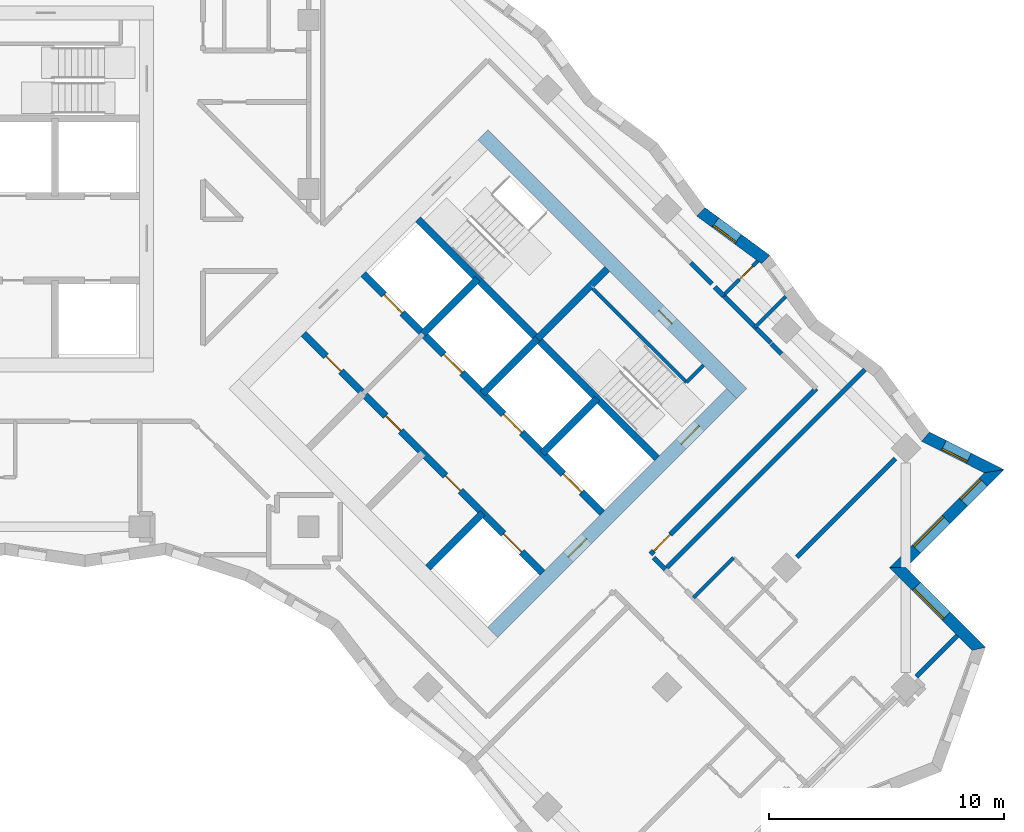
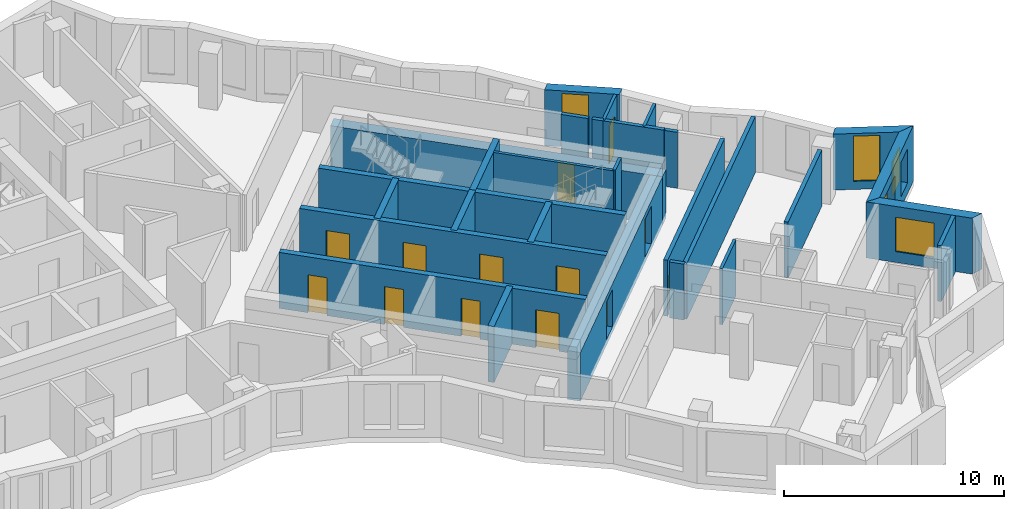
# One storey, part 9 of 12: 29 walls, 13 doors, 5 windows, 18 openings.
"""IFC4 building model written with IfcOpenShell, lengths in metres."""

from ifc_helpers import new_model, si_unit, direction, frame, frame_2d, origin, place, context, subcontext, project, spatial, polyline, rectangle, outline, extrude, material, layer, layer_set, type_object, element, fill, save


model = new_model("IFC4")

# Units and contexts
model_context = context("Model", 3, precision=1e-05, world=origin(), true_north=direction((0.0, 1.0)))
body_context = subcontext(model_context, "Body", "Model", "MODEL_VIEW")
ifc_project = project(units=[si_unit("LENGTHUNIT", "METRE"), si_unit("AREAUNIT", "SQUARE_METRE"), si_unit("VOLUMEUNIT", "CUBIC_METRE"), si_unit("PLANEANGLEUNIT", "RADIAN"), si_unit("MASSUNIT", "GRAM", prefix="KILO")], contexts=[model_context])

# Site, building, storey
site_placement = place(None, origin())
site = spatial("IfcSite", under=ifc_project, at=site_placement, CompositionType="ELEMENT")
building_placement = place(site_placement, origin())
building = spatial("IfcBuilding", under=site, at=building_placement, Name="Windrow Commons", CompositionType="ELEMENT")
storey_placement = place(building_placement, frame((0.0, 0.0, 159.2)))
storey = spatial("IfcBuildingStorey", under=building, at=storey_placement, Name="L43", CompositionType="ELEMENT", Elevation=159.2)

# Wall, opening, window
ifc_material_1 = material(Name="Brick masonry, red clay brick", Category="masonry")
ifc_layer_1 = layer(ifc_material_1, 0.5)
ifc_layer_set_1 = layer_set([ifc_layer_1], Name="Brick facade wall 500")
wall_type_1 = type_object("IfcWallType", Name="Brick facade wall 500", PredefinedType="SOLIDWALL", material=ifc_layer_set_1)
wall_1_placement = place(storey_placement, frame((107.7612, 37.9941, 0.0), z_axis=(0.0, 0.0, 1.0), x_axis=(-0.7071170025, 0.7070965597, 0.0)))
wall_1 = element("IfcWall", 1, at=wall_1_placement, inside=storey, type_object=wall_type_1, Name="Brick facade wall L43 5", PredefinedType="SOLIDWALL", context=body_context, shape_type="SweptSolid", body=[
    extrude(outline(polyline([(-0.1584, -0.25), (4.6417, -0.25), (5.1417, 0.25), (0.1584, 0.25), (-0.1584, -0.25)])), origin(), (0.0, 0.0, 1.0), 3.1),
])
opening_1_placement = place(wall_1_placement, frame((1.9667, 0.0, 0.6)))
opening_1 = element("IfcOpeningElement", 2, at=opening_1_placement, cuts=wall_1, Name="Opening W1L", PredefinedType="OPENING", context=body_context, shape_type="SweptSolid", body=[
    extrude(rectangle(XDim=1.8, YDim=1.9, at=frame_2d((0.9, 0.95))), frame((0.0, 0.26, 0.0), z_axis=(0.0, -1.0, 0.0), x_axis=(1.0, 0.0, 0.0)), (0.0, 0.0, 1.0), 0.52),
])
ifc_material_2 = material(Name="Clear float glass in anodised aluminium frame", Category="aluminium")
window_type_1 = type_object("IfcWindowType", Name="Window W1L bedroom 1800x1900", PartitioningType="SINGLE_PANEL", PredefinedType="WINDOW", material=ifc_material_2)
window_1_placement = place(opening_1_placement, origin())
window_1 = element("IfcWindow", 3, at=window_1_placement, inside=storey, type_object=window_type_1, Name="Window L43 5.1", OverallHeight=1.9, OverallWidth=1.8, PartitioningType="SINGLE_PANEL", PredefinedType="WINDOW", context=body_context, shape_type="SweptSolid", body=[
    extrude(rectangle(XDim=1.8, YDim=1.9, at=frame_2d((0.9, 0.95))), frame((0.0, 0.18, 0.0), z_axis=(0.0, -1.0, 0.0), x_axis=(1.0, 0.0, 0.0)), (0.0, 0.0, 1.0), 0.06),
])
fill(opening_1, window_1)

# Wall, openings, windows
wall_2_placement = place(storey_placement, frame((104.3022, 41.453, 0.0), z_axis=(0.0, 0.0, 1.0), x_axis=(0.707123973, 0.707089589, 0.0)))
wall_2 = element("IfcWall", 4, at=wall_2_placement, inside=storey, type_object=wall_type_1, Name="Brick facade wall L43 6", PredefinedType="SOLIDWALL", context=body_context, shape_type="SweptSolid", body=[
    extrude(outline(polyline([(0.25, -0.25), (6.1621, -0.25), (5.4712, 0.25), (-0.25, 0.25), (0.25, -0.25)])), origin(), (0.0, 0.0, 1.0), 3.1),
])
opening_2_placement = place(wall_2_placement, frame((1.125, 0.0, 0.6)))
opening_2 = element("IfcOpeningElement", 5, at=opening_2_placement, cuts=wall_2, Name="Opening W1L", PredefinedType="OPENING", context=body_context, shape_type="SweptSolid", body=[
    extrude(rectangle(XDim=1.8, YDim=1.9, at=frame_2d((0.9, 0.95))), frame((0.0, 0.26, 0.0), z_axis=(0.0, -1.0, 0.0), x_axis=(1.0, 0.0, 0.0)), (0.0, 0.0, 1.0), 0.52),
])
opening_3_placement = place(wall_2_placement, frame((3.9606, 0.0, 0.6)))
opening_3 = element("IfcOpeningElement", 6, at=opening_3_placement, cuts=wall_2, Name="Opening W7G", PredefinedType="OPENING", context=body_context, shape_type="SweptSolid", body=[
    extrude(rectangle(XDim=1.2, YDim=1.9, at=frame_2d((0.6, 0.95))), frame((0.0, 0.26, 0.0), z_axis=(0.0, -1.0, 0.0), x_axis=(1.0, 0.0, 0.0)), (0.0, 0.0, 1.0), 0.52),
])
window_2_placement = place(opening_2_placement, origin())
window_2 = element("IfcWindow", 7, at=window_2_placement, inside=storey, type_object=window_type_1, Name="Window L43 6.1", OverallHeight=1.9, OverallWidth=1.8, PartitioningType="SINGLE_PANEL", PredefinedType="WINDOW", context=body_context, shape_type="SweptSolid", body=[
    extrude(rectangle(XDim=1.8, YDim=1.9, at=frame_2d((0.9, 0.95))), frame((0.0, 0.18, 0.0), z_axis=(0.0, -1.0, 0.0), x_axis=(1.0, 0.0, 0.0)), (0.0, 0.0, 1.0), 0.06),
])
fill(opening_2, window_2)
ifc_material_3 = material(Name="Clear float glass in anodised aluminium frame", Category="aluminium")
window_type_2 = type_object("IfcWindowType", Name="Window W7 notch 1200x1900", PartitioningType="SINGLE_PANEL", PredefinedType="WINDOW", material=ifc_material_3)
window_3_placement = place(opening_3_placement, origin())
window_3 = element("IfcWindow", 8, at=window_3_placement, inside=storey, type_object=window_type_2, Name="Window L43 6.2", OverallHeight=1.9, OverallWidth=1.2, PartitioningType="SINGLE_PANEL", PredefinedType="WINDOW", context=body_context, shape_type="SweptSolid", body=[
    extrude(rectangle(XDim=1.2, YDim=1.9, at=frame_2d((0.6, 0.95))), frame((0.0, 0.18, 0.0), z_axis=(0.0, -1.0, 0.0), x_axis=(1.0, 0.0, 0.0)), (0.0, 0.0, 1.0), 0.06),
])
fill(opening_3, window_3)

# Wall, opening, window
wall_3_placement = place(storey_placement, frame((108.4153, 45.5659, 0.0), z_axis=(0.0, 0.0, 1.0), x_axis=(-0.8926785051, 0.4506940054, 0.0)))
wall_3 = element("IfcWall", 9, at=wall_3_placement, inside=storey, type_object=wall_type_1, Name="Brick facade wall L43 7", PredefinedType="SOLIDWALL", context=body_context, shape_type="SweptSolid", body=[
    extrude(outline(polyline([(-0.3454, -0.25), (3.2126, -0.25), (3.3318, 0.25), (0.3454, 0.25), (-0.3454, -0.25)])), origin(), (0.0, 0.0, 1.0), 3.1),
])
opening_4_placement = place(wall_3_placement, frame((1.2088, 0.0, 0.45)))
opening_4 = element("IfcOpeningElement", 10, at=opening_4_placement, cuts=wall_3, Name="Opening W7E", PredefinedType="OPENING", context=body_context, shape_type="SweptSolid", body=[
    extrude(rectangle(XDim=1.2, YDim=2.5, at=frame_2d((0.6, 1.25))), frame((0.0, 0.26, 0.0), z_axis=(0.0, -1.0, 0.0), x_axis=(1.0, 0.0, 0.0)), (0.0, 0.0, 1.0), 0.52),
])
ifc_material_4 = material(Name="Clear float glass in anodised aluminium frame", Category="aluminium")
window_type_3 = type_object("IfcWindowType", Name="Window W7 notch 1200x2500", PartitioningType="SINGLE_PANEL", PredefinedType="WINDOW", material=ifc_material_4)
window_4_placement = place(opening_4_placement, origin())
window_4 = element("IfcWindow", 11, at=window_4_placement, inside=storey, type_object=window_type_3, Name="Window L43 7.1", OverallHeight=2.5, OverallWidth=1.2, PartitioningType="SINGLE_PANEL", PredefinedType="WINDOW", context=body_context, shape_type="SweptSolid", body=[
    extrude(rectangle(XDim=1.2, YDim=2.5, at=frame_2d((0.6, 1.25))), frame((0.0, 0.18, 0.0), z_axis=(0.0, -1.0, 0.0), x_axis=(1.0, 0.0, 0.0)), (0.0, 0.0, 1.0), 0.06),
])
fill(opening_4, window_4)

wall_4_placement = place(storey_placement, frame((98.6737, 54.5899, 0.0), z_axis=(0.0, 0.0, 1.0), x_axis=(-0.8050440725, 0.5932150043, 0.0)))
wall_4 = element("IfcWall", 12, at=wall_4_placement, inside=storey, type_object=wall_type_1, Name="Brick facade wall L43 11", PredefinedType="SOLIDWALL", context=body_context, shape_type="SweptSolid", body=[
    extrude(outline(polyline([(-0.0379, -0.25), (3.3805, -0.25), (3.4562, 0.25), (0.0379, 0.25), (-0.0379, -0.25)])), origin(), (0.0, 0.0, 1.0), 3.1),
])
opening_5_placement = place(wall_4_placement, frame((1.4546, 0.0, 0.45)))
opening_5 = element("IfcOpeningElement", 13, at=opening_5_placement, cuts=wall_4, Name="Opening W7E", PredefinedType="OPENING", context=body_context, shape_type="SweptSolid", body=[
    extrude(rectangle(XDim=1.2, YDim=2.5, at=frame_2d((0.6, 1.25))), frame((0.0, 0.26, 0.0), z_axis=(0.0, -1.0, 0.0), x_axis=(1.0, 0.0, 0.0)), (0.0, 0.0, 1.0), 0.52),
])
window_5_placement = place(opening_5_placement, origin())
window_5 = element("IfcWindow", 14, at=window_5_placement, inside=storey, type_object=window_type_3, Name="Window L43 11.1", OverallHeight=2.5, OverallWidth=1.2, PartitioningType="SINGLE_PANEL", PredefinedType="WINDOW", context=body_context, shape_type="SweptSolid", body=[
    extrude(rectangle(XDim=1.2, YDim=2.5, at=frame_2d((0.6, 1.25))), frame((0.0, 0.18, 0.0), z_axis=(0.0, -1.0, 0.0), x_axis=(1.0, 0.0, 0.0)), (0.0, 0.0, 1.0), 0.06),
])
fill(opening_5, window_5)

# Wall, opening, door
ifc_material_5 = material(Name="Blockwork partition", Category="masonry")
ifc_layer_2 = layer(ifc_material_5, 0.2)
ifc_layer_set_2 = layer_set([ifc_layer_2], Name="IW-CORRIDOR-200")
wall_type_2 = type_object("IfcWallType", Name="IW-CORRIDOR-200", PredefinedType="PARTITIONING", material=ifc_layer_set_2)
wall_5_placement = place(storey_placement, frame((93.767, 42.021, 0.0), z_axis=(0.0, 0.0, 1.0), x_axis=(0.7071067812, 0.7071067812, 0.0)))
wall_5 = element("IfcWall", 15, at=wall_5_placement, inside=storey, type_object=wall_type_2, Name="W-L43-W012", PredefinedType="PARTITIONING", context=body_context, shape_type="SweptSolid", body=[
    extrude(rectangle(XDim=9.9985, YDim=0.2, at=frame_2d((4.9992, 0.0))), origin(), (0.0, 0.0, 1.0), 3.1),
])
opening_6_placement = place(wall_5_placement, frame((0.1964, 0.0, 0.0)))
opening_6 = element("IfcOpeningElement", 16, at=opening_6_placement, cuts=wall_5, Name="Opening D310F", PredefinedType="OPENING", context=body_context, shape_type="SweptSolid", body=[
    extrude(rectangle(XDim=1.0, YDim=2.1, at=frame_2d((0.5, 1.05))), frame((0.0, 0.11, 0.0), z_axis=(0.0, -1.0, 0.0), x_axis=(1.0, 0.0, 0.0)), (0.0, 0.0, 1.0), 0.22),
])
ifc_material_6 = material(Name="Timber door leaf", Category="wood")
door_type_1 = type_object("IfcDoorType", Name="DT-AMENITY-1000", OperationType="SINGLE_SWING_LEFT", PredefinedType="DOOR", material=ifc_material_6)
door_1_placement = place(opening_6_placement, origin())
door_1 = element("IfcDoor", 17, at=door_1_placement, inside=storey, type_object=door_type_1, Name="D-L43-D041", OperationType="SINGLE_SWING_LEFT", OverallHeight=2.1, OverallWidth=1.0, PredefinedType="DOOR", context=body_context, shape_type="SweptSolid", body=[
    extrude(rectangle(XDim=1.0, YDim=2.1, at=frame_2d((0.5, 1.05))), frame((0.0, 0.025, 0.0), z_axis=(0.0, -1.0, 0.0), x_axis=(1.0, 0.0, 0.0)), (0.0, 0.0, 1.0), 0.05),
])
fill(opening_6, door_1)

# Walls
wall_6_placement = place(storey_placement, frame((96.8815, 53.0535, 0.0), z_axis=(0.0, 0.0, 1.0), x_axis=(0.7071067812, -0.7071067812, 0.0)))
element("IfcWall", 18, at=wall_6_placement, inside=storey, type_object=wall_type_2, Name="W-L43-W062", PredefinedType="PARTITIONING", context=body_context, shape_type="SweptSolid", body=[
    extrude(rectangle(XDim=2.8595, YDim=0.2, at=frame_2d((1.4298, 0.0))), origin(), (0.0, 0.0, 1.0), 3.1),
])
wall_7_placement = place(storey_placement, frame((95.4937, 54.4377, 0.0), z_axis=(0.0, 0.0, 1.0), x_axis=(0.706312726, -0.7078999456, 0.0)))
element("IfcWall", 19, at=wall_7_placement, inside=storey, type_object=wall_type_2, Name="W-L43-W139", PredefinedType="PARTITIONING", context=body_context, shape_type="SweptSolid", body=[
    extrude(rectangle(XDim=1.2601, YDim=0.2, at=frame_2d((0.63, 0.0))), origin(), (0.0, 0.0, 1.0), 3.1),
])
wall_8_placement = place(storey_placement, frame((93.9085, 41.8785, 0.0), z_axis=(0.0, 0.0, 1.0), x_axis=(0.7056768426, -0.7085338339, 0.0)))
element("IfcWall", 20, at=wall_8_placement, inside=storey, type_object=wall_type_2, Name="W-L43-W158", PredefinedType="PARTITIONING", context=body_context, shape_type="SweptSolid", body=[
    extrude(rectangle(XDim=0.7, YDim=0.2, at=frame_2d((0.35, 0.0))), origin(), (0.0, 0.0, 1.0), 3.1),
])
wall_9_placement = place(storey_placement, frame((98.9254, 50.9954, 0.0), z_axis=(0.0, 0.0, 1.0), x_axis=(0.7071067812, -0.7071067812, 0.0)))
element("IfcWall", 21, at=wall_9_placement, inside=storey, type_object=wall_type_2, Name="W-L43-W166", PredefinedType="PARTITIONING", context=body_context, shape_type="SweptSolid", body=[
    extrude(rectangle(XDim=0.5996, YDim=0.2, at=frame_2d((0.2998, 0.0))), origin(), (0.0, 0.0, 1.0), 3.1),
])
wall_10_placement = place(storey_placement, frame((96.5098, 53.4158, 0.0), z_axis=(0.0, 0.0, 1.0), x_axis=(0.7090308706, -0.7051774419, 0.0)))
element("IfcWall", 22, at=wall_10_placement, inside=storey, type_object=wall_type_2, Name="W-L43-W175", PredefinedType="PARTITIONING", context=body_context, shape_type="SweptSolid", body=[
    extrude(rectangle(XDim=0.519, YDim=0.2, at=frame_2d((0.2595, 0.0))), origin(), (0.0, 0.0, 1.0), 3.1),
])
ifc_material_7 = material(Name="Blockwork partition", Category="masonry")
ifc_layer_3 = layer(ifc_material_7, 0.15)
ifc_layer_set_3 = layer_set([ifc_layer_3], Name="IW-ENSUITE-150")
wall_type_3 = type_object("IfcWallType", Name="IW-ENSUITE-150", PredefinedType="PARTITIONING", material=ifc_layer_set_3)
wall_11_placement = place(storey_placement, frame((95.6035, 40.1805, 0.0), z_axis=(0.0, 0.0, 1.0), x_axis=(0.7071067812, 0.7071067812, 0.0)))
element("IfcWall", 23, at=wall_11_placement, inside=storey, type_object=wall_type_3, Name="W-L43-W070", PredefinedType="PARTITIONING", context=body_context, shape_type="SweptSolid", body=[
    extrude(rectangle(XDim=2.4013, YDim=0.15, at=frame_2d((1.2006, 0.0))), origin(), (0.0, 0.0, 1.0), 3.1),
])

# Wall, opening, door
wall_12_placement = place(storey_placement, frame((96.8772, 53.0508, 0.0), z_axis=(0.0, 0.0, 1.0), x_axis=(0.7071067812, 0.7071067812, 0.0)))
wall_12 = element("IfcWall", 24, at=wall_12_placement, inside=storey, type_object=wall_type_3, Name="W-L43-W113", PredefinedType="PARTITIONING", context=body_context, shape_type="SweptSolid", body=[
    extrude(rectangle(XDim=2.0782, YDim=0.15, at=frame_2d((1.0391, 0.0))), origin(), (0.0, 0.0, 1.0), 3.1),
])
opening_7_placement = place(wall_12_placement, frame((0.9694, 0.0, 0.0)))
opening_7 = element("IfcOpeningElement", 25, at=opening_7_placement, cuts=wall_12, Name="Opening D208N", PredefinedType="OPENING", context=body_context, shape_type="SweptSolid", body=[
    extrude(rectangle(XDim=0.8, YDim=2.1, at=frame_2d((0.4, 1.05))), frame((0.0, 0.085, 0.0), z_axis=(0.0, -1.0, 0.0), x_axis=(1.0, 0.0, 0.0)), (0.0, 0.0, 1.0), 0.17),
])
ifc_material_8 = material(Name="Timber door leaf", Category="wood")
door_type_2 = type_object("IfcDoorType", Name="DT-ENSUITE-800", OperationType="SINGLE_SWING_LEFT", PredefinedType="DOOR", material=ifc_material_8)
door_2_placement = place(opening_7_placement, origin())
door_2 = element("IfcDoor", 26, at=door_2_placement, inside=storey, type_object=door_type_2, Name="D-L43-D045", OperationType="SINGLE_SWING_RIGHT", OverallHeight=2.1, OverallWidth=0.8, PredefinedType="DOOR", context=body_context, shape_type="SweptSolid", body=[
    extrude(rectangle(XDim=0.8, YDim=2.1, at=frame_2d((0.4, 1.05))), frame((0.0, 0.025, 0.0), z_axis=(0.0, -1.0, 0.0), x_axis=(1.0, 0.0, 0.0)), (0.0, 0.0, 1.0), 0.05),
])
fill(opening_7, door_2)

# Walls
wall_13_placement = place(storey_placement, frame((98.2243, 51.7037, 0.0), z_axis=(0.0, 0.0, 1.0), x_axis=(0.7065103186, 0.7077027411, 0.0)))
element("IfcWall", 27, at=wall_13_placement, inside=storey, type_object=wall_type_3, Name="W-L43-W129", PredefinedType="PARTITIONING", context=body_context, shape_type="SweptSolid", body=[
    extrude(rectangle(XDim=1.845, YDim=0.15, at=frame_2d((0.9225, 0.0))), origin(), (0.0, 0.0, 1.0), 3.1),
])
ifc_material_9 = material(Name="Blockwork partition", Category="masonry")
ifc_layer_4 = layer(ifc_material_9, 0.2)
ifc_layer_set_4 = layer_set([ifc_layer_4], Name="IW-PARTY-200")
wall_type_4 = type_object("IfcWallType", Name="IW-PARTY-200", PredefinedType="PARTITIONING", material=ifc_layer_set_4)
wall_14_placement = place(storey_placement, frame((94.4014, 41.3826, 0.0), z_axis=(0.0, 0.0, 1.0), x_axis=(0.7071067812, 0.7071067812, 0.0)))
element("IfcWall", 28, at=wall_14_placement, inside=storey, type_object=wall_type_4, Name="W-L43-W007", PredefinedType="PARTITIONING", context=body_context, shape_type="SweptSolid", body=[
    extrude(rectangle(XDim=12.0402, YDim=0.2, at=frame_2d((6.0201, 0.0))), origin(), (0.0, 0.0, 1.0), 3.1),
])
wall_15_placement = place(storey_placement, frame((100.013, 41.903, 0.0), z_axis=(0.0, 0.0, 1.0), x_axis=(0.7071067812, 0.7071067812, 0.0)))
element("IfcWall", 29, at=wall_15_placement, inside=storey, type_object=wall_type_4, Name="W-L43-W027", PredefinedType="PARTITIONING", context=body_context, shape_type="SweptSolid", body=[
    extrude(rectangle(XDim=5.9284, YDim=0.2, at=frame_2d((2.9642, 0.0))), origin(), (0.0, 0.0, 1.0), 3.1),
])
wall_16_placement = place(storey_placement, frame((105.1052, 36.8128, 0.0), z_axis=(0.0, 0.0, 1.0), x_axis=(0.7071067812, 0.7071067812, 0.0)))
element("IfcWall", 30, at=wall_16_placement, inside=storey, type_object=wall_type_4, Name="W-L43-W069", PredefinedType="PARTITIONING", context=body_context, shape_type="SweptSolid", body=[
    extrude(rectangle(XDim=2.4634, YDim=0.2, at=frame_2d((1.2317, 0.0))), origin(), (0.0, 0.0, 1.0), 3.1),
])

# Wall, opening, door
ifc_material_10 = material(Name="Concrete C50/60", Category="concrete")
ifc_layer_5 = layer(ifc_material_10, 0.6)
ifc_layer_set_5 = layer_set([ifc_layer_5], Name="RC CORE WALL 600 C50/60")
wall_type_5 = type_object("IfcWallType", Name="RC CORE WALL 600 C50/60", PredefinedType="SHEAR", material=ifc_layer_set_5)
wall_17_placement = place(storey_placement, frame((86.6246, 59.9085, -0.3), z_axis=(0.0, 0.0, 1.0), x_axis=(0.7071067812, -0.7071067812, 0.0)))
wall_17 = element("IfcWall", 31, at=wall_17_placement, inside=storey, type_object=wall_type_5, Name="Core B wall outer-N", PredefinedType="SHEAR", context=body_context, shape_type="SweptSolid", body=[
    extrude(rectangle(XDim=15.6, YDim=0.6, at=frame_2d((7.8, 0.0))), origin(), (0.0, 0.0, 1.0), 2.7),
])
opening_8_placement = place(wall_17_placement, frame((10.6, 0.0, 0.3)))
opening_8 = element("IfcOpeningElement", 32, at=opening_8_placement, cuts=wall_17, Name="Opening D9", PredefinedType="OPENING", context=body_context, shape_type="SweptSolid", body=[
    extrude(rectangle(XDim=0.8, YDim=2.1, at=frame_2d((0.4, 1.05))), frame((0.0, 0.31, 0.0), z_axis=(0.0, -1.0, 0.0), x_axis=(1.0, 0.0, 0.0)), (0.0, 0.0, 1.0), 0.62),
])
ifc_material_11 = material(Name="Steel fire door leaf", Category="steel")
door_type_3 = type_object("IfcDoorType", Name="Riser access door 800", OperationType="SINGLE_SWING_LEFT", PredefinedType="DOOR", material=ifc_material_11)
door_3_placement = place(opening_8_placement, origin())
door_3 = element("IfcDoor", 33, at=door_3_placement, inside=storey, type_object=door_type_3, Name="Riser access door", OperationType="SINGLE_SWING_RIGHT", OverallHeight=2.1, OverallWidth=0.8, PredefinedType="DOOR", context=body_context, shape_type="SweptSolid", body=[
    extrude(rectangle(XDim=0.8, YDim=2.1, at=frame_2d((0.4, 1.05))), frame((0.0, 0.025, 0.0), z_axis=(0.0, -1.0, 0.0), x_axis=(1.0, 0.0, 0.0)), (0.0, 0.0, 1.0), 0.05),
])
fill(opening_8, door_3)

# Wall, openings, doors
wall_18_placement = place(storey_placement, frame((87.0489, 38.6953, -0.3), z_axis=(0.0, 0.0, 1.0), x_axis=(0.7071067812, 0.7071067812, 0.0)))
wall_18 = element("IfcWall", 34, at=wall_18_placement, inside=storey, type_object=wall_type_5, Name="Core B wall outer-E", PredefinedType="SHEAR", context=body_context, shape_type="SweptSolid", body=[
    extrude(rectangle(XDim=14.3999, YDim=0.6, at=frame_2d((7.2, 0.0))), origin(), (0.0, 0.0, 1.0), 2.7),
])
opening_9_placement = place(wall_18_placement, frame((4.55, 0.0, 0.3)))
opening_9 = element("IfcOpeningElement", 35, at=opening_9_placement, cuts=wall_18, Name="Opening D6", PredefinedType="OPENING", context=body_context, shape_type="SweptSolid", body=[
    extrude(rectangle(XDim=1.1, YDim=2.1, at=frame_2d((0.55, 1.05))), frame((0.0, 0.31, 0.0), z_axis=(0.0, -1.0, 0.0), x_axis=(1.0, 0.0, 0.0)), (0.0, 0.0, 1.0), 0.62),
])
opening_10_placement = place(wall_18_placement, frame((11.35, 0.0, 0.3)))
opening_10 = element("IfcOpeningElement", 36, at=opening_10_placement, cuts=wall_18, Name="Opening D7", PredefinedType="OPENING", context=body_context, shape_type="SweptSolid", body=[
    extrude(rectangle(XDim=1.1, YDim=2.1, at=frame_2d((0.55, 1.05))), frame((0.0, 0.31, 0.0), z_axis=(0.0, -1.0, 0.0), x_axis=(1.0, 0.0, 0.0)), (0.0, 0.0, 1.0), 0.62),
])
ifc_material_12 = material(Name="Steel fire door leaf", Category="steel")
door_type_4 = type_object("IfcDoorType", Name="Core lobby door 1100", OperationType="SINGLE_SWING_LEFT", PredefinedType="DOOR", material=ifc_material_12)
door_4_placement = place(opening_9_placement, origin())
door_4 = element("IfcDoor", 37, at=door_4_placement, inside=storey, type_object=door_type_4, Name="Lift lobby door", OperationType="DOUBLE_DOOR_SINGLE_SWING", OverallHeight=2.1, OverallWidth=1.1, PredefinedType="DOOR", context=body_context, shape_type="SweptSolid", body=[
    extrude(rectangle(XDim=1.1, YDim=2.1, at=frame_2d((0.55, 1.05))), frame((0.0, 0.025, 0.0), z_axis=(0.0, -1.0, 0.0), x_axis=(1.0, 0.0, 0.0)), (0.0, 0.0, 1.0), 0.05),
])
fill(opening_9, door_4)
ifc_material_13 = material(Name="Steel fire door leaf", Category="steel")
door_type_5 = type_object("IfcDoorType", Name="Stair door 1100", OperationType="SINGLE_SWING_LEFT", PredefinedType="DOOR", material=ifc_material_13)
door_5_placement = place(opening_10_placement, origin())
door_5 = element("IfcDoor", 38, at=door_5_placement, inside=storey, type_object=door_type_5, Name="Stair door", OperationType="SINGLE_SWING_RIGHT", OverallHeight=2.1, OverallWidth=1.1, PredefinedType="DOOR", context=body_context, shape_type="SweptSolid", body=[
    extrude(rectangle(XDim=1.1, YDim=2.1, at=frame_2d((0.55, 1.05))), frame((0.0, 0.025, 0.0), z_axis=(0.0, -1.0, 0.0), x_axis=(1.0, 0.0, 0.0)), (0.0, 0.0, 1.0), 0.05),
])
fill(opening_10, door_5)

# Walls
ifc_material_14 = material(Name="Concrete C50/60", Category="concrete")
ifc_layer_6 = layer(ifc_material_14, 0.3)
ifc_layer_set_6 = layer_set([ifc_layer_6], Name="RC SHAFT WALL 300 C50/60")
wall_type_6 = type_object("IfcWallType", Name="RC SHAFT WALL 300 C50/60", PredefinedType="SOLIDWALL", material=ifc_layer_set_6)
wall_19_placement = place(storey_placement, frame((84.079, 51.4232, 0.0), z_axis=(0.0, 0.0, 1.0), x_axis=(0.7071219326, 0.7070916295, 0.0)))
element("IfcWall", 39, at=wall_19_placement, inside=storey, type_object=wall_type_6, Name="Core B wall shaft-N1", PredefinedType="SOLIDWALL", context=body_context, shape_type="SweptSolid", body=[
    extrude(rectangle(XDim=3.3, YDim=0.3, at=frame_2d((1.65, 0.0))), origin(), (0.0, 0.0, 1.0), 3.1),
])
wall_20_placement = place(storey_placement, frame((86.6246, 48.8776, 0.0), z_axis=(0.0, 0.0, 1.0), x_axis=(0.7071067812, 0.7071067812, 0.0)))
element("IfcWall", 40, at=wall_20_placement, inside=storey, type_object=wall_type_6, Name="Core B wall shaft-N2", PredefinedType="SOLIDWALL", context=body_context, shape_type="SweptSolid", body=[
    extrude(rectangle(XDim=3.3001, YDim=0.3, at=frame_2d((1.6501, 0.0))), origin(), (0.0, 0.0, 1.0), 3.1),
])
wall_21_placement = place(storey_placement, frame((84.2912, 41.453, 0.0), z_axis=(0.0, 0.0, 1.0), x_axis=(0.7071067812, 0.7071067812, 0.0)))
element("IfcWall", 41, at=wall_21_placement, inside=storey, type_object=wall_type_6, Name="Core B wall shaft-S3", PredefinedType="SOLIDWALL", context=body_context, shape_type="SweptSolid", body=[
    extrude(rectangle(XDim=3.2999, YDim=0.3, at=frame_2d((1.65, 0.0))), origin(), (0.0, 0.0, 1.0), 3.1),
])
wall_22_placement = place(storey_placement, frame((89.1702, 46.332, 0.0), z_axis=(0.0, 0.0, 1.0), x_axis=(0.7071067812, 0.7071067812, 0.0)))
element("IfcWall", 42, at=wall_22_placement, inside=storey, type_object=wall_type_6, Name="Core B wall shaft-N3", PredefinedType="SOLIDWALL", context=body_context, shape_type="SweptSolid", body=[
    extrude(rectangle(XDim=3.3001, YDim=0.3, at=frame_2d((1.6501, 0.0))), origin(), (0.0, 0.0, 1.0), 3.1),
])

# Wall, openings, doors
wall_23_placement = place(storey_placement, frame((78.9879, 51.4232, 0.0), z_axis=(0.0, 0.0, 1.0), x_axis=(0.7071067812, -0.7071067812, 0.0)))
wall_23 = element("IfcWall", 43, at=wall_23_placement, inside=storey, type_object=wall_type_6, Name="Core B wall lobby-S", PredefinedType="SOLIDWALL", context=body_context, shape_type="SweptSolid", body=[
    extrude(rectangle(XDim=14.3999, YDim=0.3, at=frame_2d((7.2, 0.0))), origin(), (0.0, 0.0, 1.0), 3.1),
])
opening_11_placement = place(wall_23_placement, frame((1.35, 0.0, 0.0)))
opening_11 = element("IfcOpeningElement", 44, at=opening_11_placement, cuts=wall_23, Name="Opening D8", PredefinedType="OPENING", context=body_context, shape_type="SweptSolid", body=[
    extrude(rectangle(XDim=0.9, YDim=2.1, at=frame_2d((0.45, 1.05))), frame((0.0, 0.16, 0.0), z_axis=(0.0, -1.0, 0.0), x_axis=(1.0, 0.0, 0.0)), (0.0, 0.0, 1.0), 0.32),
])
opening_12_placement = place(wall_23_placement, frame((4.95, 0.0, 0.0)))
opening_12 = element("IfcOpeningElement", 45, at=opening_12_placement, cuts=wall_23, Name="Opening D8", PredefinedType="OPENING", context=body_context, shape_type="SweptSolid", body=[
    extrude(rectangle(XDim=0.9, YDim=2.1, at=frame_2d((0.45, 1.05))), frame((0.0, 0.16, 0.0), z_axis=(0.0, -1.0, 0.0), x_axis=(1.0, 0.0, 0.0)), (0.0, 0.0, 1.0), 0.32),
])
opening_13_placement = place(wall_23_placement, frame((8.55, 0.0, 0.0)))
opening_13 = element("IfcOpeningElement", 46, at=opening_13_placement, cuts=wall_23, Name="Opening D8", PredefinedType="OPENING", context=body_context, shape_type="SweptSolid", body=[
    extrude(rectangle(XDim=0.9, YDim=2.1, at=frame_2d((0.45, 1.05))), frame((0.0, 0.16, 0.0), z_axis=(0.0, -1.0, 0.0), x_axis=(1.0, 0.0, 0.0)), (0.0, 0.0, 1.0), 0.32),
])
opening_14_placement = place(wall_23_placement, frame((12.05, 0.0, 0.0)))
opening_14 = element("IfcOpeningElement", 47, at=opening_14_placement, cuts=wall_23, Name="Opening LD", PredefinedType="OPENING", context=body_context, shape_type="SweptSolid", body=[
    extrude(rectangle(XDim=1.1, YDim=2.1, at=frame_2d((0.55, 1.05))), frame((0.0, 0.16, 0.0), z_axis=(0.0, -1.0, 0.0), x_axis=(1.0, 0.0, 0.0)), (0.0, 0.0, 1.0), 0.32),
])
ifc_material_15 = material(Name="Steel fire door leaf", Category="steel")
door_type_6 = type_object("IfcDoorType", Name="Core store door 900", OperationType="SINGLE_SWING_LEFT", PredefinedType="DOOR", material=ifc_material_15)
door_6_placement = place(opening_11_placement, origin())
door_6 = element("IfcDoor", 48, at=door_6_placement, inside=storey, type_object=door_type_6, Name="Store door", OperationType="SINGLE_SWING_LEFT", OverallHeight=2.1, OverallWidth=0.9, PredefinedType="DOOR", context=body_context, shape_type="SweptSolid", body=[
    extrude(rectangle(XDim=0.9, YDim=2.1, at=frame_2d((0.45, 1.05))), frame((0.0, 0.025, 0.0), z_axis=(0.0, -1.0, 0.0), x_axis=(1.0, 0.0, 0.0)), (0.0, 0.0, 1.0), 0.05),
])
fill(opening_11, door_6)
door_7_placement = place(opening_12_placement, origin())
door_7 = element("IfcDoor", 49, at=door_7_placement, inside=storey, type_object=door_type_6, Name="Store door", OperationType="SINGLE_SWING_LEFT", OverallHeight=2.1, OverallWidth=0.9, PredefinedType="DOOR", context=body_context, shape_type="SweptSolid", body=[
    extrude(rectangle(XDim=0.9, YDim=2.1, at=frame_2d((0.45, 1.05))), frame((0.0, 0.025, 0.0), z_axis=(0.0, -1.0, 0.0), x_axis=(1.0, 0.0, 0.0)), (0.0, 0.0, 1.0), 0.05),
])
fill(opening_12, door_7)
door_8_placement = place(opening_13_placement, origin())
door_8 = element("IfcDoor", 50, at=door_8_placement, inside=storey, type_object=door_type_6, Name="Store door", OperationType="SINGLE_SWING_LEFT", OverallHeight=2.1, OverallWidth=0.9, PredefinedType="DOOR", context=body_context, shape_type="SweptSolid", body=[
    extrude(rectangle(XDim=0.9, YDim=2.1, at=frame_2d((0.45, 1.05))), frame((0.0, 0.025, 0.0), z_axis=(0.0, -1.0, 0.0), x_axis=(1.0, 0.0, 0.0)), (0.0, 0.0, 1.0), 0.05),
])
fill(opening_13, door_8)
ifc_material_16 = material(Name="Stainless steel door leaf", Category="steel")
door_type_7 = type_object("IfcDoorType", Name="Lift landing door 1100", OperationType="SLIDING_TO_LEFT", PredefinedType="DOOR", material=ifc_material_16)
door_9_placement = place(opening_14_placement, origin())
door_9 = element("IfcDoor", 51, at=door_9_placement, inside=storey, type_object=door_type_7, Name="Lift landing door", OperationType="SLIDING_TO_RIGHT", OverallHeight=2.1, OverallWidth=1.1, PredefinedType="DOOR", context=body_context, shape_type="SweptSolid", body=[
    extrude(rectangle(XDim=1.1, YDim=2.1, at=frame_2d((0.55, 1.05))), frame((0.0, 0.025, 0.0), z_axis=(0.0, -1.0, 0.0), x_axis=(1.0, 0.0, 0.0)), (0.0, 0.0, 1.0), 0.05),
])
fill(opening_14, door_9)

wall_24_placement = place(storey_placement, frame((81.5335, 53.9688, 0.0), z_axis=(0.0, 0.0, 1.0), x_axis=(0.707103309, -0.7071102534, 0.0)))
wall_24 = element("IfcWall", 52, at=wall_24_placement, inside=storey, type_object=wall_type_6, Name="Core B wall lobby-N", PredefinedType="SOLIDWALL", context=body_context, shape_type="SweptSolid", body=[
    extrude(rectangle(XDim=14.4, YDim=0.3, at=frame_2d((7.2, 0.0))), origin(), (0.0, 0.0, 1.0), 3.1),
])
opening_15_placement = place(wall_24_placement, frame((1.25, 0.0, 0.0)))
opening_15 = element("IfcOpeningElement", 53, at=opening_15_placement, cuts=wall_24, Name="Opening LD", PredefinedType="OPENING", context=body_context, shape_type="SweptSolid", body=[
    extrude(rectangle(XDim=1.1, YDim=2.1, at=frame_2d((0.55, 1.05))), frame((0.0, 0.16, 0.0), z_axis=(0.0, -1.0, 0.0), x_axis=(1.0, 0.0, 0.0)), (0.0, 0.0, 1.0), 0.32),
])
opening_16_placement = place(wall_24_placement, frame((4.85, 0.0, 0.0)))
opening_16 = element("IfcOpeningElement", 54, at=opening_16_placement, cuts=wall_24, Name="Opening LD", PredefinedType="OPENING", context=body_context, shape_type="SweptSolid", body=[
    extrude(rectangle(XDim=1.1, YDim=2.1, at=frame_2d((0.55, 1.05))), frame((0.0, 0.16, 0.0), z_axis=(0.0, -1.0, 0.0), x_axis=(1.0, 0.0, 0.0)), (0.0, 0.0, 1.0), 0.32),
])
opening_17_placement = place(wall_24_placement, frame((8.45, 0.0, 0.0)))
opening_17 = element("IfcOpeningElement", 55, at=opening_17_placement, cuts=wall_24, Name="Opening LD", PredefinedType="OPENING", context=body_context, shape_type="SweptSolid", body=[
    extrude(rectangle(XDim=1.1, YDim=2.1, at=frame_2d((0.55, 1.05))), frame((0.0, 0.16, 0.0), z_axis=(0.0, -1.0, 0.0), x_axis=(1.0, 0.0, 0.0)), (0.0, 0.0, 1.0), 0.32),
])
opening_18_placement = place(wall_24_placement, frame((12.05, 0.0, 0.0)))
opening_18 = element("IfcOpeningElement", 56, at=opening_18_placement, cuts=wall_24, Name="Opening LD", PredefinedType="OPENING", context=body_context, shape_type="SweptSolid", body=[
    extrude(rectangle(XDim=1.1, YDim=2.1, at=frame_2d((0.55, 1.05))), frame((0.0, 0.16, 0.0), z_axis=(0.0, -1.0, 0.0), x_axis=(1.0, 0.0, 0.0)), (0.0, 0.0, 1.0), 0.32),
])
door_10_placement = place(opening_15_placement, origin())
door_10 = element("IfcDoor", 57, at=door_10_placement, inside=storey, type_object=door_type_7, Name="Lift landing door", OperationType="SLIDING_TO_LEFT", OverallHeight=2.1, OverallWidth=1.1, PredefinedType="DOOR", context=body_context, shape_type="SweptSolid", body=[
    extrude(rectangle(XDim=1.1, YDim=2.1, at=frame_2d((0.55, 1.05))), frame((0.0, 0.025, 0.0), z_axis=(0.0, -1.0, 0.0), x_axis=(1.0, 0.0, 0.0)), (0.0, 0.0, 1.0), 0.05),
])
fill(opening_15, door_10)
door_11_placement = place(opening_16_placement, origin())
door_11 = element("IfcDoor", 58, at=door_11_placement, inside=storey, type_object=door_type_7, Name="Lift landing door", OperationType="SLIDING_TO_RIGHT", OverallHeight=2.1, OverallWidth=1.1, PredefinedType="DOOR", context=body_context, shape_type="SweptSolid", body=[
    extrude(rectangle(XDim=1.1, YDim=2.1, at=frame_2d((0.55, 1.05))), frame((0.0, 0.025, 0.0), z_axis=(0.0, -1.0, 0.0), x_axis=(1.0, 0.0, 0.0)), (0.0, 0.0, 1.0), 0.05),
])
fill(opening_16, door_11)
door_12_placement = place(opening_17_placement, origin())
door_12 = element("IfcDoor", 59, at=door_12_placement, inside=storey, type_object=door_type_7, Name="Lift landing door", OperationType="SLIDING_TO_LEFT", OverallHeight=2.1, OverallWidth=1.1, PredefinedType="DOOR", context=body_context, shape_type="SweptSolid", body=[
    extrude(rectangle(XDim=1.1, YDim=2.1, at=frame_2d((0.55, 1.05))), frame((0.0, 0.025, 0.0), z_axis=(0.0, -1.0, 0.0), x_axis=(1.0, 0.0, 0.0)), (0.0, 0.0, 1.0), 0.05),
])
fill(opening_17, door_12)
door_13_placement = place(opening_18_placement, origin())
door_13 = element("IfcDoor", 60, at=door_13_placement, inside=storey, type_object=door_type_7, Name="Lift landing door", OperationType="SLIDING_TO_RIGHT", OverallHeight=2.1, OverallWidth=1.1, PredefinedType="DOOR", context=body_context, shape_type="SweptSolid", body=[
    extrude(rectangle(XDim=1.1, YDim=2.1, at=frame_2d((0.55, 1.05))), frame((0.0, 0.025, 0.0), z_axis=(0.0, -1.0, 0.0), x_axis=(1.0, 0.0, 0.0)), (0.0, 0.0, 1.0), 0.05),
])
fill(opening_18, door_13)

# Walls
for number, where, z_axis, x_axis, name in (
    (61, (83.8669, 56.3022, 0.0), (0.0, 0.0, 1.0), (0.7071137256, -0.7070998367, 0.0), "Core B wall stair-S"),
    (62, (88.9581, 51.2111, 0.0), (0.0, 0.0, 1.0), (0.7070998367, -0.7071137256, 0.0), "Core B wall stair-S2"),
):
    element("IfcWall", number, at=place(storey_placement, frame(where, z_axis=z_axis, x_axis=x_axis)), inside=storey, type_object=wall_type_6, Name=name, PredefinedType="SOLIDWALL", context=body_context, shape_type="SweptSolid", body=[
        extrude(rectangle(XDim=7.2, YDim=0.3, at=frame_2d((3.6, 0.0))), origin(), (0.0, 0.0, 1.0), 3.1),
    ])
wall_25_placement = place(storey_placement, frame((88.9581, 51.2111, 0.0), z_axis=(0.0, 0.0, 1.0), x_axis=(0.7071067812, 0.7071067812, 0.0)))
element("IfcWall", 63, at=wall_25_placement, inside=storey, type_object=wall_type_6, Name="Core B wall stair-mid", PredefinedType="SOLIDWALL", context=body_context, shape_type="SweptSolid", body=[
    extrude(rectangle(XDim=4.1999, YDim=0.3, at=frame_2d((2.1, 0.0))), origin(), (0.0, 0.0, 1.0), 3.1),
])
ifc_material_17 = material(Name="Blockwork partition", Category="masonry")
ifc_layer_7 = layer(ifc_material_17, 0.15)
ifc_layer_set_7 = layer_set([ifc_layer_7], Name="Riser partition 150")
wall_type_7 = type_object("IfcWallType", Name="Riser partition 150", PredefinedType="PARTITIONING", material=ifc_layer_set_7)
wall_26_placement = place(storey_placement, frame((91.3127, 53.3536, 0.0), z_axis=(0.0, 0.0, 1.0), x_axis=(0.7071067812, -0.7071067812, 0.0)))
element("IfcWall", 64, at=wall_26_placement, inside=storey, type_object=wall_type_7, Name="W-core-strip-B-L43", PredefinedType="PARTITIONING", context=body_context, shape_type="SweptSolid", body=[
    extrude(rectangle(XDim=5.6501, YDim=0.15, at=frame_2d((2.8251, 0.0))), origin(), (0.0, 0.0, 1.0), 3.1),
])
wall_27_placement = place(storey_placement, frame((95.3079, 49.3584, 0.0), z_axis=(0.0, 0.0, 1.0), x_axis=(0.70705776, 0.707155799, 0.0)))
element("IfcWall", 65, at=wall_27_placement, inside=storey, type_object=wall_type_7, Name="W-core-stripx-B-L43-1", PredefinedType="PARTITIONING", context=body_context, shape_type="SweptSolid", body=[
    extrude(rectangle(XDim=1.02, YDim=0.15, at=frame_2d((0.51, 0.0))), origin(), (0.0, 0.0, 1.0), 3.1),
])

save(model, "model.ifc")
